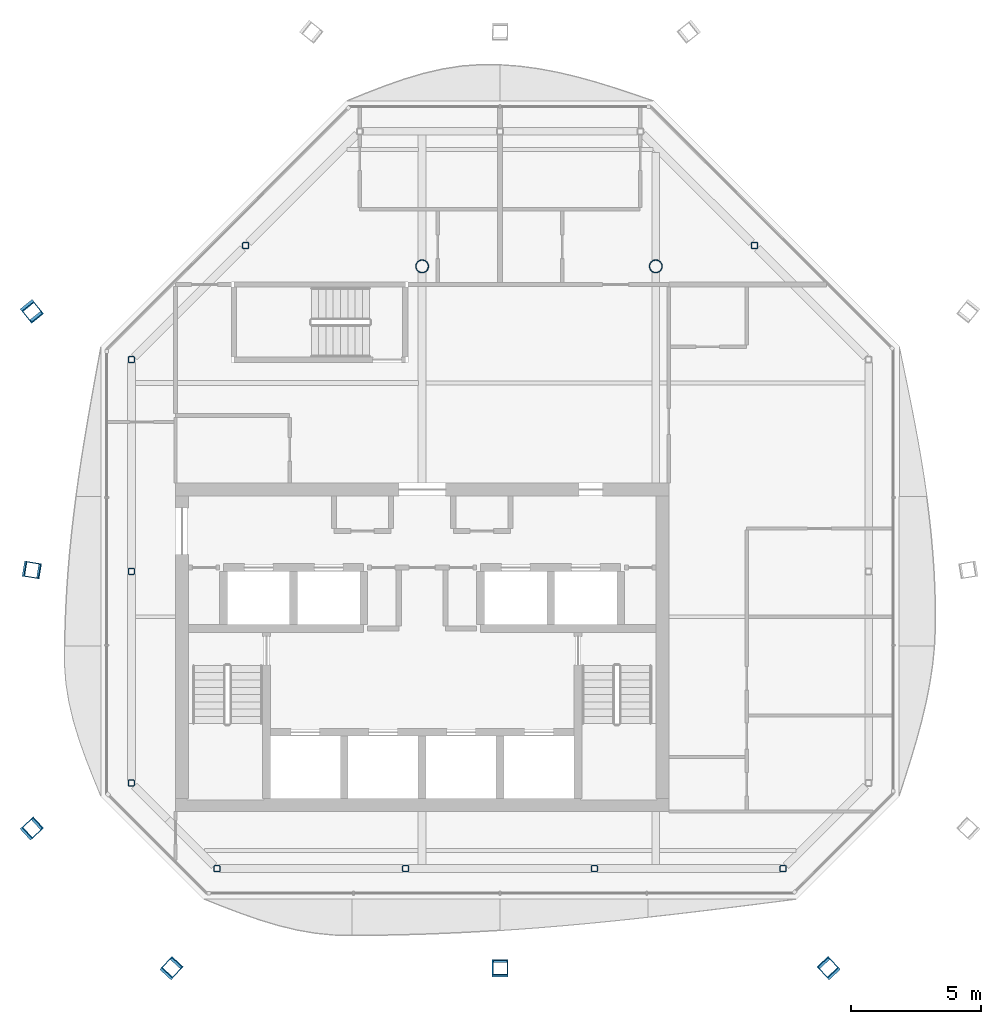
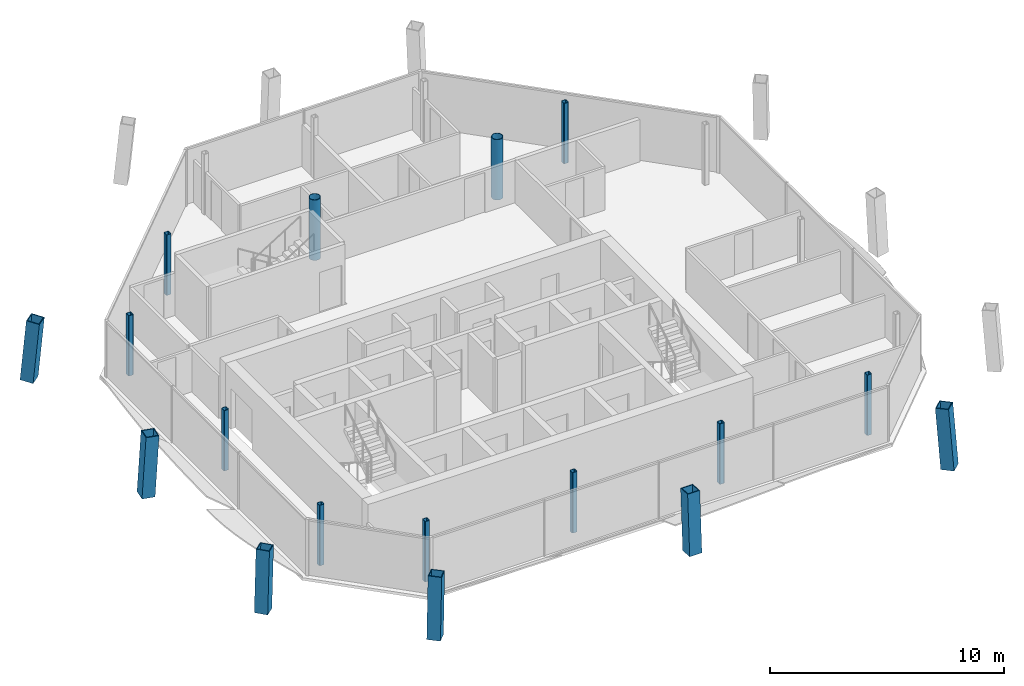
# One storey, part 1 of 13: 17 columns.
"""IFC4 building model written with IfcOpenShell, lengths in metres."""

from ifc_helpers import new_model, si_unit, direction, frame, origin, origin_2d, place, context, subcontext, project, spatial, hollow_rectangle, hollow_circle, extrude, material, material_profile, profile_set, type_object, element, save


model = new_model("IFC4")

# Units and contexts
model_context = context("Model", 3, precision=1e-05, world=origin(), true_north=direction((0.0, 1.0)))
body_context = subcontext(model_context, "Body", "Model", "MODEL_VIEW")
ifc_project = project(units=[si_unit("LENGTHUNIT", "METRE"), si_unit("AREAUNIT", "SQUARE_METRE"), si_unit("VOLUMEUNIT", "CUBIC_METRE"), si_unit("PLANEANGLEUNIT", "RADIAN"), si_unit("MASSUNIT", "GRAM", prefix="KILO")], contexts=[model_context])

# Site, building, storey
site_placement = place(None, origin())
site = spatial("IfcSite", under=ifc_project, at=site_placement, CompositionType="ELEMENT")
building_placement = place(site_placement, origin())
building = spatial("IfcBuilding", under=site, at=building_placement, Name="Tskaro Facet Tower", CompositionType="ELEMENT")
storey_placement = place(building_placement, frame((0.0, 0.0, 291.0)))
storey = spatial("IfcBuildingStorey", under=building, at=storey_placement, Name="L78", CompositionType="ELEMENT", Elevation=291.0)

# Columns
ifc_material_1 = material(Name="Steel S355J2", Category="steel")
ifc_material_profile_1 = material_profile(ifc_material_1, hollow_rectangle(XDim=0.60009765625, YDim=0.60009765625, WallThickness=0.0400390625, at=origin_2d()), Name="BOX 600x600x40")
ifc_profile_set_1 = profile_set([ifc_material_profile_1], Name="Steel S355J2")
column_type_1 = type_object("IfcColumnType", Name="BOX 600x600x40 mega column", PredefinedType="COLUMN", material=ifc_profile_set_1)
column_1_placement = place(storey_placement, frame((-9.68798828125, -18.06689453125, 0.0), z_axis=(0.052852898651, 0.057566388151, 0.996941664321), x_axis=(-0.736620357353, 0.676306475744, 0.0)))
element("IfcColumn", 1, at=column_1_placement, inside=storey, type_object=column_type_1, Name="BOX 600x600x40 MC01/6", PredefinedType="COLUMN", context=body_context, shape_type="SweptSolid", body=[
    extrude(hollow_rectangle(XDim=0.60009765625, YDim=0.60009765625, WallThickness=0.0400390625, at=origin_2d()), origin(), (0.0, 0.0, 1.0), 3.15966796875),
])
column_2_placement = place(storey_placement, frame((3.0, -18.06689453125, 0.0), z_axis=(0.0, 0.057646960801, 0.998337031223), x_axis=(-1.0, 0.0, 0.0)))
element("IfcColumn", 2, at=column_2_placement, inside=storey, type_object=column_type_1, Name="BOX 600x600x40 MC02/6", PredefinedType="COLUMN", context=body_context, shape_type="SweptSolid", body=[
    extrude(hollow_rectangle(XDim=0.60009765625, YDim=0.60009765625, WallThickness=0.0400390625, at=origin_2d()), origin(), (0.0, 0.0, 1.0), 3.155029296875),
])
column_3_placement = place(storey_placement, frame((15.68798828125, -18.06689453125, 0.0), z_axis=(-0.052852898651, 0.057566388151, 0.996941664321), x_axis=(-0.736620357353, -0.676306475744, 0.0)))
element("IfcColumn", 3, at=column_3_placement, inside=storey, type_object=column_type_1, Name="BOX 600x600x40 MC03/6", PredefinedType="COLUMN", context=body_context, shape_type="SweptSolid", body=[
    extrude(hollow_rectangle(XDim=0.60009765625, YDim=0.60009765625, WallThickness=0.0400390625, at=origin_2d()), origin(), (0.0, 0.0, 1.0), 3.15966796875),
])
column_4_placement = place(storey_placement, frame((-15.06689453125, 7.306884765625, 0.0), z_axis=(0.057499863261, -0.071392447673, 0.995789578244), x_axis=(0.778811034489, 0.627258616967, 0.0)))
element("IfcColumn", 4, at=column_4_placement, inside=storey, type_object=column_type_1, Name="BOX 600x600x40 MC10/6", PredefinedType="COLUMN", context=body_context, shape_type="SweptSolid", body=[
    extrude(hollow_rectangle(XDim=0.60009765625, YDim=0.60009765625, WallThickness=0.0400390625, at=origin_2d()), origin(), (0.0, 0.0, 1.0), 3.163330078125),
])
column_5_placement = place(storey_placement, frame((-15.06689453125, -2.68994140625, 0.0), z_axis=(0.057644350039, -0.009517120879, 0.998291817716), x_axis=(0.162895476227, 0.986643331617, 0.0)))
element("IfcColumn", 5, at=column_5_placement, inside=storey, type_object=column_type_1, Name="BOX 600x600x40 MC11/6", PredefinedType="COLUMN", context=body_context, shape_type="SweptSolid", body=[
    extrude(hollow_rectangle(XDim=0.60009765625, YDim=0.60009765625, WallThickness=0.0400390625, at=origin_2d()), origin(), (0.0, 0.0, 1.0), 3.1552734375),
])
column_6_placement = place(storey_placement, frame((-15.06689453125, -12.68798828125, 0.0), z_axis=(0.057566388151, 0.052852898651, 0.996941664321), x_axis=(-0.676306475744, 0.736620357353, 0.0)))
element("IfcColumn", 6, at=column_6_placement, inside=storey, type_object=column_type_1, Name="BOX 600x600x40 MC12/6", PredefinedType="COLUMN", context=body_context, shape_type="SweptSolid", body=[
    extrude(hollow_rectangle(XDim=0.60009765625, YDim=0.60009765625, WallThickness=0.0400390625, at=origin_2d()), origin(), (0.0, 0.0, 1.0), 3.15966796875),
])
ifc_material_2 = material(Name="Steel S355J2H", Category="steel")
ifc_material_profile_2 = material_profile(ifc_material_2, hollow_circle(Radius=0.25390625, WallThickness=0.02490234375, at=origin_2d()), Name="CHS 508x25")
ifc_profile_set_2 = profile_set([ifc_material_profile_2], Name="Steel S355J2H")
column_type_2 = type_object("IfcColumnType", Name="CHS 508x25 interior column", PredefinedType="COLUMN", material=ifc_profile_set_2)
for number, where, z_axis, x_axis, name in (
    (7, (0.0, 9.0, 0.0), (0.0, 0.0, 1.0), (1.0, 0.0, 0.0), "CHS 508x25 C4E/6"),
    (8, (9.0, 9.0, 0.0), (0.0, 0.0, 1.0), (1.0, 0.0, 0.0), "CHS 508x25 C5E/6"),
):
    element("IfcColumn", number, at=place(storey_placement, frame(where, z_axis=z_axis, x_axis=x_axis)), inside=storey, type_object=column_type_2, Name=name, PredefinedType="COLUMN", context=body_context, shape_type="SweptSolid", body=[
        extrude(hollow_circle(Radius=0.25390625, WallThickness=0.02490234375, at=origin_2d()), origin(), (0.0, 0.0, 1.0), 3.14990234375),
    ])
ifc_material_profile_3 = material_profile(ifc_material_2, hollow_rectangle(XDim=0.25, YDim=0.25, WallThickness=0.02001953125, InnerFilletRadius=0.030029296875, OuterFilletRadius=0.050048828125, at=origin_2d()), Name="SHS 250x250x20")
ifc_profile_set_3 = profile_set([ifc_material_profile_3], Name="Steel S355J2H")
column_type_3 = type_object("IfcColumnType", Name="SHS 250x250x20 ring column", PredefinedType="COLUMN", material=ifc_profile_set_3)
for number, where, z_axis, x_axis, name in (
    (9, (-7.903076171875, -14.199951171875, 0.0), (0.0, 0.0, 1.0), (1.0, 0.0, 0.0), "SHS 250x250x20 RS-1/6"),
    (10, (-0.634033203125, -14.199951171875, 0.0), (0.0, 0.0, 1.0), (1.0, 0.0, 0.0), "SHS 250x250x20 RS-2/6"),
    (11, (6.634033203125, -14.199951171875, 0.0), (0.0, 0.0, 1.0), (1.0, 0.0, 0.0), "SHS 250x250x20 RS-3/6"),
    (12, (13.903076171875, -14.199951171875, 0.0), (0.0, 0.0, 1.0), (1.0, 0.0, 0.0), "SHS 250x250x20 RSE-1/6"),
    (13, (12.802001953125, 9.802001953125, 0.0), (0.0, 0.0, 1.0), (1.0, 0.0, 0.0), "SHS 250x250x20 RNE-2/6"),
    (14, (-6.801025390625, 9.801025390625, 0.0), (0.0, 0.0, 1.0), (1.0, 0.0, 0.0), "SHS 250x250x20 RNW-2/6"),
    (15, (-11.199951171875, 5.403076171875, 0.0), (0.0, 0.0, 1.0), (1.0, 0.0, 0.0), "SHS 250x250x20 RW-1/6"),
    (16, (-11.199951171875, -2.75, 0.0), (0.0, 0.0, 1.0), (1.0, 0.0, 0.0), "SHS 250x250x20 RW-2/6"),
    (17, (-11.199951171875, -10.903076171875, 0.0), (0.0, 0.0, 1.0), (1.0, 0.0, 0.0), "SHS 250x250x20 RSW-1/6"),
):
    element("IfcColumn", number, at=place(storey_placement, frame(where, z_axis=z_axis, x_axis=x_axis)), inside=storey, type_object=column_type_3, Name=name, PredefinedType="COLUMN", context=body_context, shape_type="SweptSolid", body=[
        extrude(hollow_rectangle(XDim=0.25, YDim=0.25, WallThickness=0.02001953125, InnerFilletRadius=0.030029296875, OuterFilletRadius=0.050048828125, at=origin_2d()), origin(), (0.0, 0.0, 1.0), 3.14990234375),
    ])

save(model, "model.ifc")
